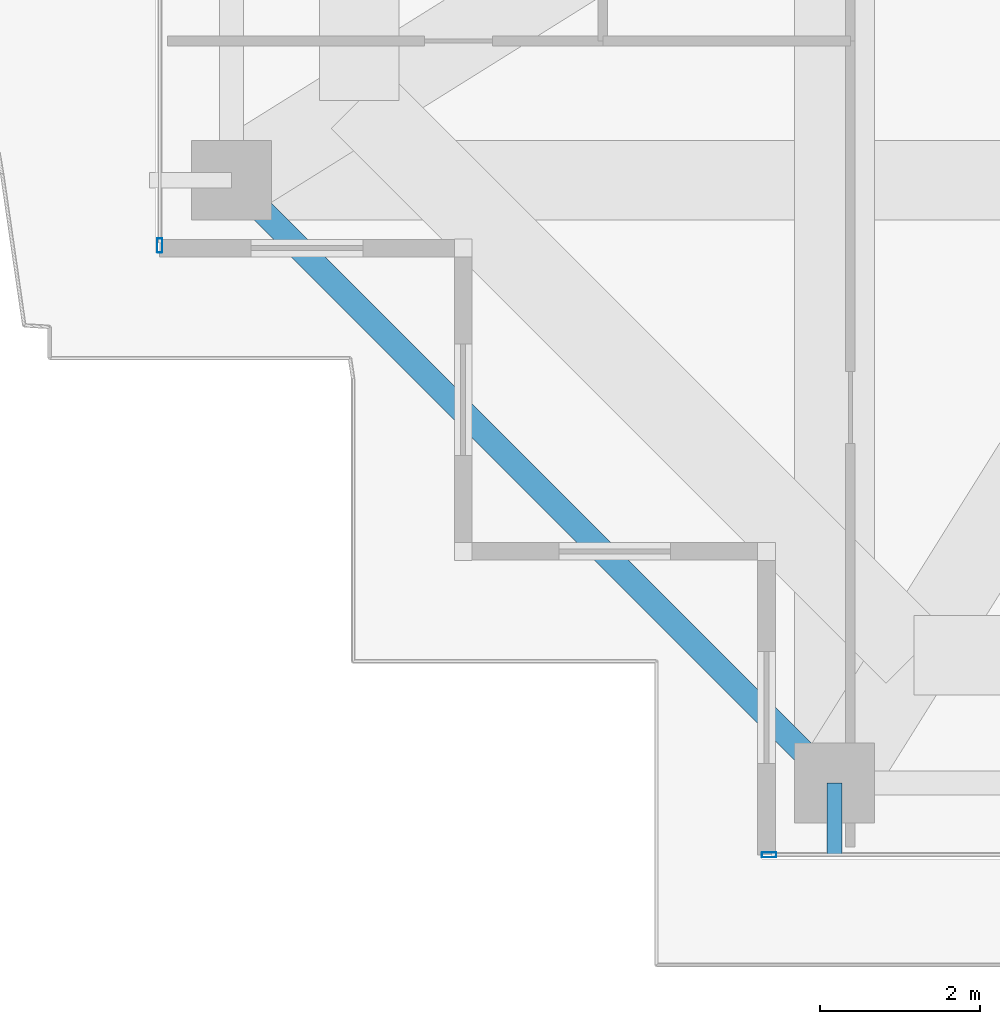
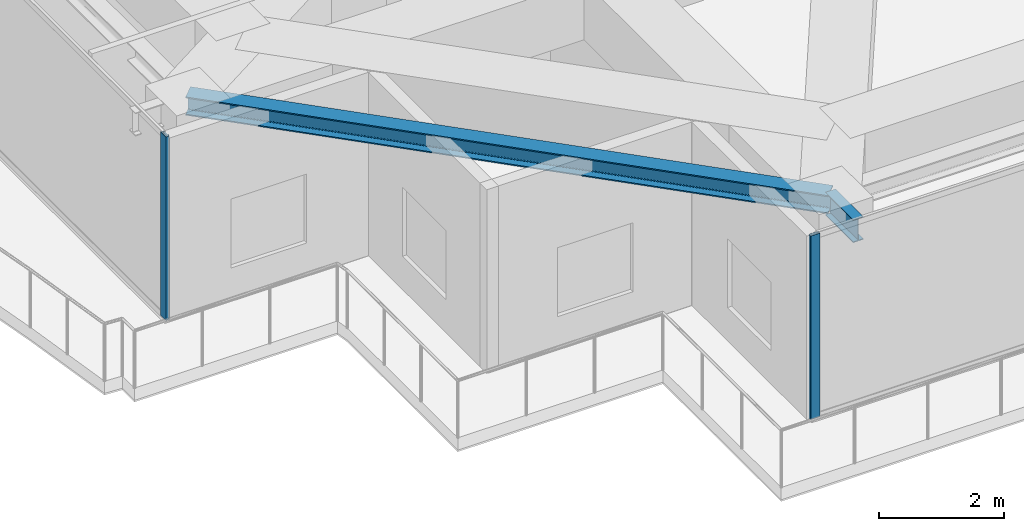
# One storey, part 2 of 40: 2 beams, 2 members, 2 elements without a shape of their own.
"""IFC4 building model written with IfcOpenShell, lengths in metres."""

from ifc_helpers import new_model, si_unit, direction, frame, origin, origin_2d, place, context, subcontext, project, spatial, hollow_rectangle, i_section, extrude, source, transform, mapped, material, layer, layer_set, material_profile, profile_set, type_object, element, aggregate, save


model = new_model("IFC4")

# Units and contexts
model_context = context("Model", 3, precision=1e-05, world=origin(), true_north=direction((0.0, 1.0)))
body_context = subcontext(model_context, "Body", "Model", "MODEL_VIEW")
ifc_project = project(units=[si_unit("LENGTHUNIT", "METRE"), si_unit("AREAUNIT", "SQUARE_METRE"), si_unit("VOLUMEUNIT", "CUBIC_METRE"), si_unit("PLANEANGLEUNIT", "RADIAN"), si_unit("MASSUNIT", "GRAM", prefix="KILO")], contexts=[model_context])

# Site, building, storey
site_placement = place(None, origin())
site = spatial("IfcSite", under=ifc_project, at=site_placement, CompositionType="ELEMENT")
building_placement = place(site_placement, origin())
building = spatial("IfcBuilding", under=site, at=building_placement, Name="Serunith Strait Residences", CompositionType="ELEMENT")
storey_placement = place(building_placement, frame((0.0, 0.0, 333.949951171875)))
storey = spatial("IfcBuildingStorey", under=building, at=storey_placement, Name="L83", CompositionType="ELEMENT", Elevation=333.949951171875)

# Beams
ifc_material_1 = material(Name="Steel S355J2", Category="steel")
ifc_material_profile_1 = material_profile(ifc_material_1, i_section(OverallWidth=0.300048828125, OverallDepth=0.360107421875, WebThickness=0.012451171875, FlangeThickness=0.0224609375, FilletRadius=0.027099609375, at=origin_2d()), Name="HEB 360")
ifc_profile_set_1 = profile_set([ifc_material_profile_1], Name="Steel S355J2")
beam_type_1 = type_object("IfcBeamType", Name="BM-HEB360", PredefinedType="BEAM", material=ifc_profile_set_1)
shared_shape_1 = source(origin(), body_context, "Body", "SweptSolid", [
    extrude(i_section(OverallWidth=0.300048828125, OverallDepth=0.360107421875, WebThickness=0.012451171875, FlangeThickness=0.0224609375, FilletRadius=0.027099609375, at=origin_2d()), origin(), (0.0, 0.0, 1.0), 10.67724609375),
])
beam_1_placement = place(storey_placement, frame((10.10009765625, 10.85009765625, 3.427001953125), z_axis=(0.707095348302, -0.707118213887, 0.0), x_axis=(0.707118213887, 0.707095348302, 0.0)))
element("IfcBeam", 1, at=beam_1_placement, inside=storey, type_object=beam_type_1, Name="L83 Perimeter Ring Beam 16", PredefinedType="BEAM", context=body_context, shape_type="MappedRepresentation", body=[
    mapped(shared_shape_1, transform((0.0, 0.0, 0.0), scale=1.0)),
])
ifc_material_profile_2 = material_profile(ifc_material_1, i_section(OverallWidth=0.18994140625, OverallDepth=0.449951171875, WebThickness=0.009521484375, FlangeThickness=0.0146484375, FilletRadius=0.02099609375, at=origin_2d()), Name="IPE 450")
ifc_profile_set_2 = profile_set([ifc_material_profile_2], Name="Steel S355J2")
beam_type_2 = type_object("IfcBeamType", Name="BM-IPE450", PredefinedType="JOIST", material=ifc_profile_set_2)
shared_shape_2 = source(origin(), body_context, "Body", "SweptSolid", [
    extrude(i_section(OverallWidth=0.18994140625, OverallDepth=0.449951171875, WebThickness=0.009521484375, FlangeThickness=0.0146484375, FilletRadius=0.02099609375, at=origin_2d()), origin(), (0.0, 0.0, 1.0), 0.89306640625),
])
beam_2_placement = place(storey_placement, frame((17.64990234375, 3.300048828125, 3.382080078125), z_axis=(0.0, -1.0, 0.0), x_axis=(1.0, 0.0, 0.0)))
element("IfcBeam", 2, at=beam_2_placement, inside=storey, type_object=beam_type_2, Name="L84 Cantilevered Balcony Rib TC-S1", PredefinedType="JOIST", context=body_context, shape_type="MappedRepresentation", body=[
    mapped(shared_shape_2, transform((0.0, 0.0, 0.0), scale=1.0)),
])

# Curtain wall, member
ifc_material_2 = material(Name="Brushed Stainless-Silver Aluminium", Category="aluminium")
ifc_layer = layer(ifc_material_2, 0.199951171875, Name="Brushed Stainless-Silver Aluminium")
ifc_layer_set = layer_set([ifc_layer], Name="Brushed Stainless-Silver Aluminium")
curtain_wall_type = type_object("IfcCurtainWallType", Name="CW-SYS5", PredefinedType="NOTDEFINED", material=ifc_layer_set)
curtain_wall_1_placement = place(storey_placement, origin())
curtain_wall_1 = element("IfcCurtainWall", 3, at=curtain_wall_1_placement, inside=storey, type_object=curtain_wall_type, Name="L83 S Unitised Fritted Curtain Wall", PredefinedType="NOTDEFINED")
ifc_material_profile_3 = material_profile(ifc_material_2, hollow_rectangle(XDim=0.06494140625, YDim=0.179931640625, WallThickness=0.00341796875, InnerFilletRadius=0.00537109375, OuterFilletRadius=0.0087890625, at=origin_2d()), Name="ALU 180x65x3.5")
ifc_profile_set_3 = profile_set([ifc_material_profile_3], Name="Brushed Stainless-Silver Aluminium")
member_type = type_object("IfcMemberType", Name="CW-SYS5-MULL", PredefinedType="MULLION", material=ifc_profile_set_3)
shared_shape_3 = source(origin(), body_context, "Body", "SweptSolid", [
    extrude(hollow_rectangle(XDim=0.06494140625, YDim=0.179931640625, WallThickness=0.00341796875, InnerFilletRadius=0.00537109375, OuterFilletRadius=0.0087890625, at=origin_2d()), origin(), (0.0, 0.0, 1.0), 3.594970703125),
])
member_1_placement = place(storey_placement, frame((16.83251953125, 2.39990234375, 0.0), z_axis=(0.0, 0.0, 1.0), x_axis=(0.0, 1.0, 0.0)))
member_1 = element("IfcMember", 4, at=member_1_placement, type_object=member_type, Name="CW-5 mullion 1", PredefinedType="MULLION", context=body_context, shape_type="MappedRepresentation", body=[
    mapped(shared_shape_3, transform((0.0, 0.0, 0.0), scale=1.0)),
])
aggregate(curtain_wall_1, [member_1])

curtain_wall_2_placement = place(storey_placement, origin())
curtain_wall_2 = element("IfcCurtainWall", 5, at=curtain_wall_2_placement, inside=storey, type_object=curtain_wall_type, Name="L83 W Unitised Fritted Curtain Wall", PredefinedType="NOTDEFINED")
member_2_placement = place(storey_placement, frame((9.199951171875, 10.032470703125, 0.0), z_axis=(0.0, 0.0, 1.0), x_axis=(1.0, 0.0, 0.0)))
member_2 = element("IfcMember", 6, at=member_2_placement, type_object=member_type, Name="CW-5 mullion 2", PredefinedType="MULLION", context=body_context, shape_type="MappedRepresentation", body=[
    mapped(shared_shape_3, transform((0.0, 0.0, 0.0), scale=1.0)),
])
aggregate(curtain_wall_2, [member_2])

save(model, "model.ifc")
